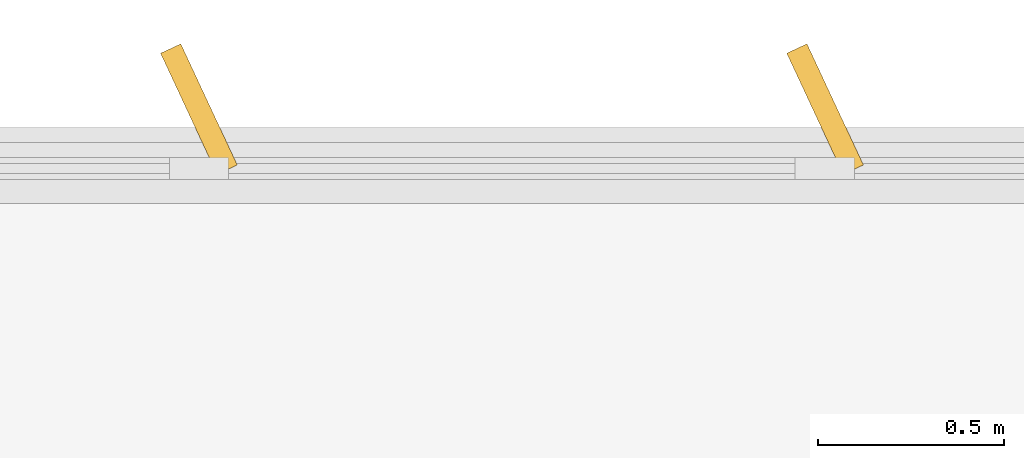
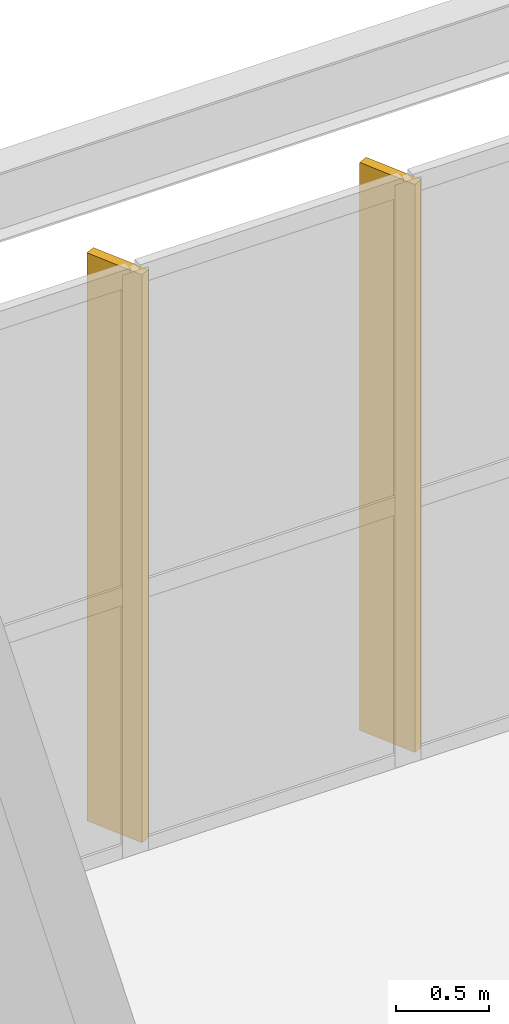
# One storey, part 171 of 186: 2 shading devices.
"""IFC4 building model written with IfcOpenShell, lengths in metres."""

from ifc_helpers import new_model, si_unit, direction, frame, origin, origin_2d, place, context, subcontext, project, spatial, rectangle, extrude, material, layer, layer_set, type_object, element, save


model = new_model("IFC4")

# Units and contexts
model_context = context("Model", 3, precision=1e-05, world=origin(), true_north=direction((0.0, 1.0)))
body_context = subcontext(model_context, "Body", "Model", "MODEL_VIEW")
ifc_project = project(units=[si_unit("LENGTHUNIT", "METRE"), si_unit("AREAUNIT", "SQUARE_METRE"), si_unit("VOLUMEUNIT", "CUBIC_METRE"), si_unit("PLANEANGLEUNIT", "RADIAN"), si_unit("MASSUNIT", "GRAM", prefix="KILO")], contexts=[model_context])

# Site, building, storey
site_placement = place(None, origin())
site = spatial("IfcSite", under=ifc_project, at=site_placement, CompositionType="ELEMENT")
building_placement = place(site_placement, origin())
building = spatial("IfcBuilding", under=site, at=building_placement, Name="Tarnwether General Hospital", CompositionType="ELEMENT")
storey_placement = place(building_placement, frame((0.0, 0.0, 9.60009765625)))
storey = spatial("IfcBuildingStorey", under=building, at=storey_placement, Name="L02", CompositionType="ELEMENT", Elevation=9.60009765625)

# Shading devices
ifc_material = material(Name="Champagne-bronze anodised aluminium", Category="aluminium")
ifc_layer = layer(ifc_material, 0.06005859375)
ifc_layer_set = layer_set([ifc_layer], Name="Champagne-bronze anodised aluminium")
shading_device_type = type_object("IfcShadingDeviceType", Name="SH-FIN-BRZ", PredefinedType="USERDEFINED", material=ifc_layer_set)
for number, where, z_axis, x_axis, name in (
    (1, (61.799072265625, 126.159912109375, 0.050048828125), (0.0, 0.0, 1.0), (0.906307787037, 0.422618261741, 0.0), "Champagne-Bronze Brise-Soleil Fin 0380"),
    (2, (63.486083984375, 126.159912109375, 0.050048828125), (0.0, 0.0, 1.0), (0.906307787037, 0.422618261741, 0.0), "Champagne-Bronze Brise-Soleil Fin 0381"),
):
    element("IfcShadingDevice", number, at=place(storey_placement, frame(where, z_axis=z_axis, x_axis=x_axis)), inside=storey, type_object=shading_device_type, Name=name, ObjectType="SOLAR FIN", PredefinedType="USERDEFINED", context=body_context, shape_type="SweptSolid", body=[
        extrude(rectangle(XDim=0.06005859375, YDim=0.360107421875, at=origin_2d()), origin(), (0.0, 0.0, 1.0), 3.712890625),
    ])

save(model, "model.ifc")
